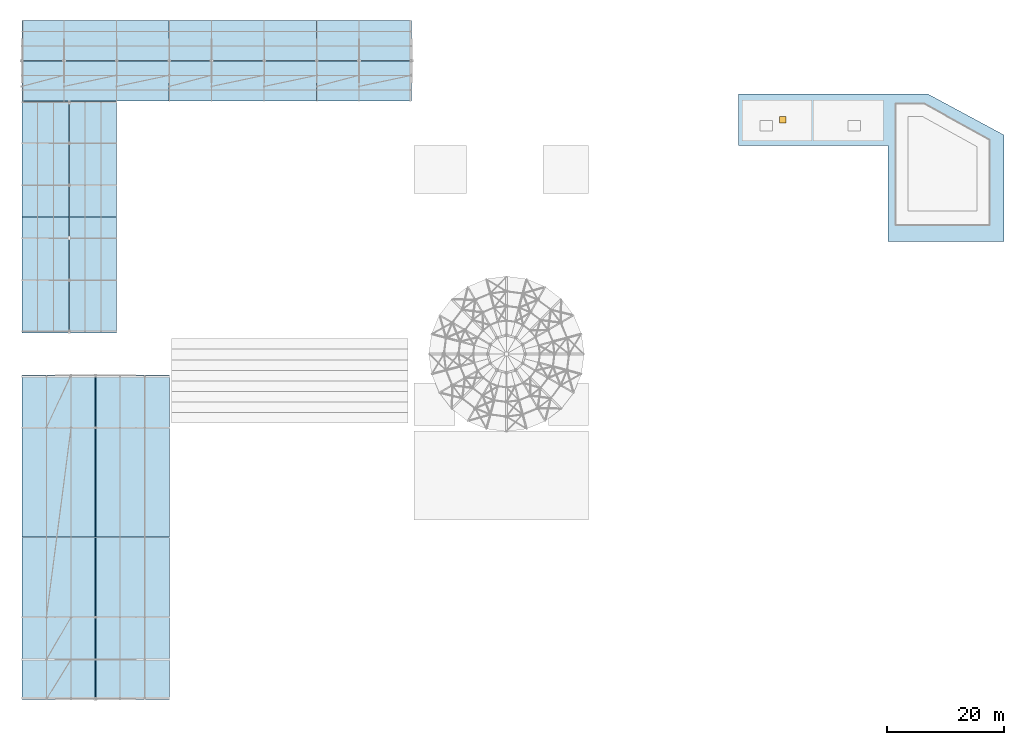
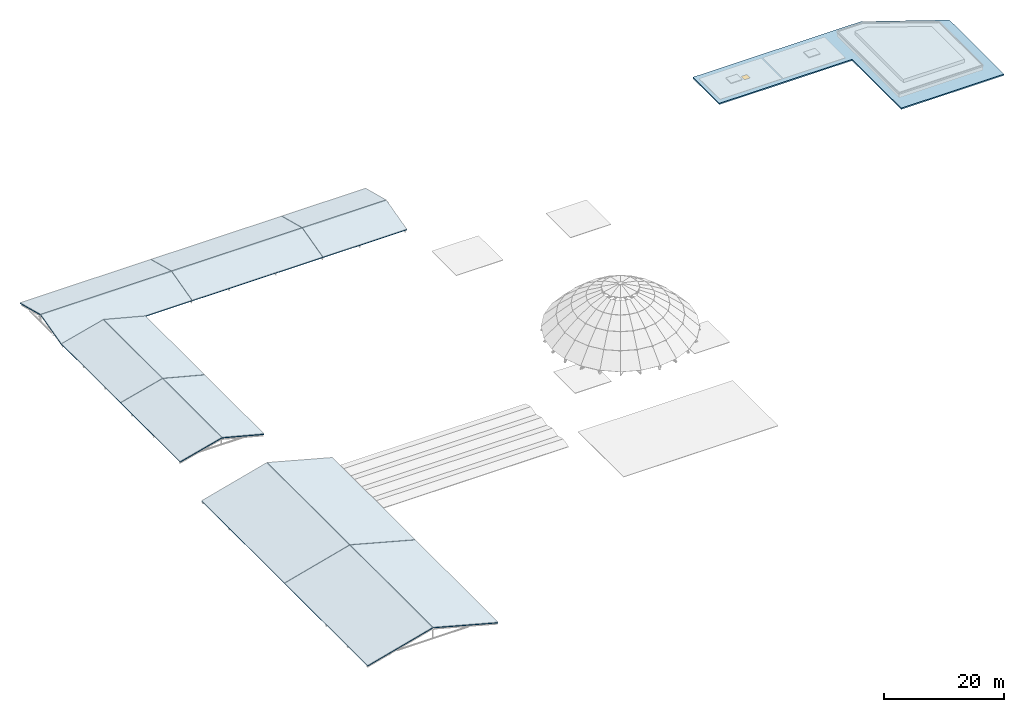
# One storey, part 23 of 31: 15 slabs, 1 window, 1 opening.
"""IFC4 building model written with IfcOpenShell, lengths in metres."""

from ifc_helpers import new_model, si_unit, direction, frame, origin, origin_2d, place, context, subcontext, project, spatial, polyline, rectangle, outline, extrude, material, layer, layer_set, type_object, element, fill, save


model = new_model("IFC4")

# Units and contexts
model_context = context("Model", 3, precision=1e-05, world=origin(), true_north=direction((0.0, 1.0)))
body_context = subcontext(model_context, "Body", "Model", "MODEL_VIEW")
ifc_project = project(units=[si_unit("LENGTHUNIT", "METRE"), si_unit("AREAUNIT", "SQUARE_METRE"), si_unit("VOLUMEUNIT", "CUBIC_METRE"), si_unit("PLANEANGLEUNIT", "RADIAN"), si_unit("MASSUNIT", "GRAM", prefix="KILO")], contexts=[model_context])

# Site, building, storey
site_placement = place(None, origin())
site = spatial("IfcSite", under=ifc_project, at=site_placement, CompositionType="ELEMENT")
building_placement = place(site_placement, origin())
building = spatial("IfcBuilding", under=site, at=building_placement, Name="Clarverna Civic Hall", CompositionType="ELEMENT")
storey_placement = place(building_placement, frame((0.0, 0.0, 31.199951171875)))
storey = spatial("IfcBuildingStorey", under=building, at=storey_placement, Name="RF", CompositionType="ELEMENT", Elevation=31.199951171875)

# Slab, opening, window
ifc_material_1 = material(Name="Concrete C30/37", Category="concrete")
ifc_layer_1 = layer(ifc_material_1, 0.260009765625)
ifc_layer_set_1 = layer_set([ifc_layer_1], Name="Concrete C30/37")
slab_type_1 = type_object("IfcSlabType", Name="SL-RF1", PredefinedType="ROOF", material=ifc_layer_set_1)
slab_placement = place(storey_placement, frame((0.0, 0.0, -0.260009765625)))
slab = element("IfcSlab", 1, at=slab_placement, inside=storey, type_object=slab_type_1, Name="SL-RF1-008", PredefinedType="ROOF", context=body_context, shape_type="SweptSolid", body=[
    extrude(outline(polyline([(122.39990234375, 94.60009765625), (148.0, 94.60009765625), (148.0, 78.199951171875), (167.800048828125, 78.199951171875), (167.800048828125, 96.39990234375), (154.800048828125, 103.39990234375), (122.39990234375, 103.39990234375), (122.39990234375, 94.60009765625)])), origin(), (0.0, 0.0, 1.0), 0.260009765625),
])
opening_placement = place(slab_placement, frame((130.0, 99.0, 0.0)))
opening = element("IfcOpeningElement", 2, at=opening_placement, cuts=slab, Name="Opening RH-01", PredefinedType="OPENING", context=body_context, shape_type="SweptSolid", body=[
    extrude(rectangle(XDim=1.10009765625, YDim=1.10009765625, at=origin_2d()), frame((0.0, 0.0, -0.010009765625)), (0.0, 0.0, 1.0), 0.280029296875),
])
ifc_material_2 = material(Name="Solar-Control Argon Low-E Double Glazing", Category="glass")
window_type = type_object("IfcWindowType", Name="RH-01", PartitioningType="SINGLE_PANEL", PredefinedType="SKYLIGHT", material=ifc_material_2)
window_placement = place(opening_placement, frame((0.0, 0.0, 0.2099609375)))
window = element("IfcWindow", 3, at=window_placement, inside=storey, type_object=window_type, Name="RH-01-003", OverallHeight=1.10009765625, OverallWidth=1.10009765625, PartitioningType="SINGLE_PANEL", PredefinedType="SKYLIGHT", context=body_context, shape_type="SweptSolid", body=[
    extrude(rectangle(XDim=1.10009765625, YDim=1.10009765625, at=origin_2d()), origin(), (0.0, 0.0, 1.0), 0.050048828125),
])
fill(opening, window)

# Slabs
ifc_layer_2 = layer(ifc_material_1, 0.179931640625)
ifc_layer_set_2 = layer_set([ifc_layer_2], Name="Concrete C30/37")
slab_type_2 = type_object("IfcSlabType", Name="SL-RF2", PredefinedType="ROOF", material=ifc_layer_set_2)
for number, where, z_axis, x_axis, name in (
    (4, (0.0, 102.199951171875, -10.760009765625), (0.0, -0.252461262349, 0.967607002358), (1.0, 0.0, 0.0), "SL-RF2-001"),
    (5, (0.0, 109.159912109375, -8.975341796875), (0.0, 0.252461262349, 0.967607002358), (1.0, 0.0, 0.0), "SL-RF2-002"),
):
    element("IfcSlab", number, at=place(storey_placement, frame(where, z_axis=z_axis, x_axis=x_axis)), inside=storey, type_object=slab_type_2, Name=name, PredefinedType="ROOF", context=body_context, shape_type="SweptSolid", body=[
        extrude(outline(polyline([(0.0, 0.0), (25.179931640625, 0.0), (25.179931640625, 7.069076467980597), (0.0, 7.069076467980597), (0.0, 0.0)])), origin(), (0.0, 0.0, -1.0), 0.179931640625),
    ])
for number, where, z_axis, x_axis, name in (
    (6, (25.219970703125, 102.199951171875, -10.760009765625), (0.0, -0.252461262349, 0.967607002358), (1.0, 0.0, 0.0), "SL-RF2-003"),
    (7, (25.219970703125, 109.159912109375, -8.975341796875), (0.0, 0.252461262349, 0.967607002358), (1.0, 0.0, 0.0), "SL-RF2-004"),
):
    element("IfcSlab", number, at=place(storey_placement, frame(where, z_axis=z_axis, x_axis=x_axis)), inside=storey, type_object=slab_type_2, Name=name, PredefinedType="ROOF", context=body_context, shape_type="SweptSolid", body=[
        extrude(outline(polyline([(0.0, 0.0), (25.159912109375, 0.0), (25.159912109375, 7.069076467980596), (0.0, 7.069076467980596), (0.0, 0.0)])), origin(), (0.0, 0.0, -1.0), 0.179931640625),
    ])
for number, where, z_axis, x_axis, name in (
    (8, (50.419921875, 102.199951171875, -10.760009765625), (0.0, -0.252461262349, 0.967607002358), (1.0, 0.0, 0.0), "SL-RF2-005"),
    (9, (50.419921875, 109.159912109375, -8.975341796875), (0.0, 0.252461262349, 0.967607002358), (1.0, 0.0, 0.0), "SL-RF2-006"),
):
    element("IfcSlab", number, at=place(storey_placement, frame(where, z_axis=z_axis, x_axis=x_axis)), inside=storey, type_object=slab_type_2, Name=name, PredefinedType="ROOF", context=body_context, shape_type="SweptSolid", body=[
        extrude(outline(polyline([(0.0, 0.0), (16.18017578125, 0.0), (16.18017578125, 7.069076467980596), (0.0, 7.069076467980596), (0.0, 0.0)])), origin(), (0.0, 0.0, -1.0), 0.179931640625),
    ])
for number, where, z_axis, x_axis, name in (
    (10, (0.0, 62.60009765625, -10.760009765625), (-0.252147961553, 0.0, 0.967688692444), (0.967688692444, 0.0, 0.252147961553), "SL-RF2-007"),
    (11, (8.159912109375, 62.60009765625, -8.6650390625), (0.252147961553, 0.0, 0.967688692444), (0.967688692444, 0.0, -0.252147961553), "SL-RF2-008"),
):
    element("IfcSlab", number, at=place(storey_placement, frame(where, z_axis=z_axis, x_axis=x_axis)), inside=storey, type_object=slab_type_2, Name=name, PredefinedType="ROOF", context=body_context, shape_type="SweptSolid", body=[
        extrude(outline(polyline([(0.0, 0.0), (8.308497479898392, 0.0), (8.308497479898392, 19.77978515625), (0.0, 19.77978515625), (0.0, 0.0)])), origin(), (0.0, 0.0, -1.0), 0.179931640625),
    ])
for number, where, z_axis, x_axis, name in (
    (12, (0.0, 82.419921875, -10.760009765625), (-0.252147961553, 0.0, 0.967688692444), (0.967688692444, 0.0, 0.252147961553), "SL-RF2-009"),
    (13, (8.159912109375, 82.419921875, -8.6650390625), (0.252147961553, 0.0, 0.967688692444), (0.967688692444, 0.0, -0.252147961553), "SL-RF2-010"),
):
    element("IfcSlab", number, at=place(storey_placement, frame(where, z_axis=z_axis, x_axis=x_axis)), inside=storey, type_object=slab_type_2, Name=name, PredefinedType="ROOF", context=body_context, shape_type="SweptSolid", body=[
        extrude(outline(polyline([(0.0, 0.0), (8.308497479898392, 0.0), (8.308497479898392, 19.760009765625), (0.0, 19.760009765625), (0.0, 0.0)])), origin(), (0.0, 0.0, -1.0), 0.179931640625),
    ])
ifc_layer_3 = layer(ifc_material_1, 0.159912109375)
ifc_layer_set_3 = layer_set([ifc_layer_3], Name="Concrete C30/37")
slab_type_3 = type_object("IfcSlabType", Name="SL-RF3", PredefinedType="ROOF", material=ifc_layer_set_3)
for number, where, z_axis, x_axis, name in (
    (14, (0.0, 0.0, -14.35986328125), (-0.259977518567, 0.0, 0.965614669441), (0.965614669441, 0.0, 0.259977518567), "SL-RF3-001"),
    (15, (12.659912109375, 0.0, -10.983642578125), (0.259977518567, 0.0, 0.965614669441), (0.965614669441, 0.0, -0.259977518567), "SL-RF3-002"),
    (16, (0.0, 27.719970703125, -14.35986328125), (-0.259977518567, 0.0, 0.965614669441), (0.965614669441, 0.0, 0.259977518567), "SL-RF3-003"),
    (17, (12.659912109375, 27.719970703125, -10.983642578125), (0.259977518567, 0.0, 0.965614669441), (0.965614669441, 0.0, -0.259977518567), "SL-RF3-004"),
):
    element("IfcSlab", number, at=place(storey_placement, frame(where, z_axis=z_axis, x_axis=x_axis)), inside=storey, type_object=slab_type_3, Name=name, PredefinedType="ROOF", context=body_context, shape_type="SweptSolid", body=[
        extrude(outline(polyline([(0.0, 0.0), (12.986587154646742, 0.0), (12.986587154646742, 27.679931640625), (0.0, 27.679931640625), (0.0, 0.0)])), origin(), (0.0, 0.0, -1.0), 0.159912109375),
    ])

save(model, "model.ifc")
